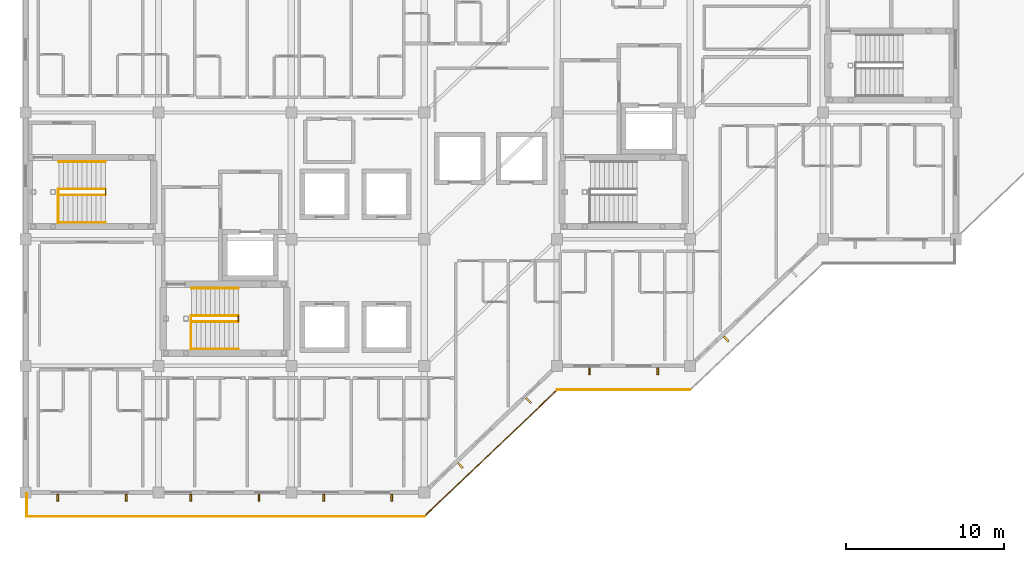
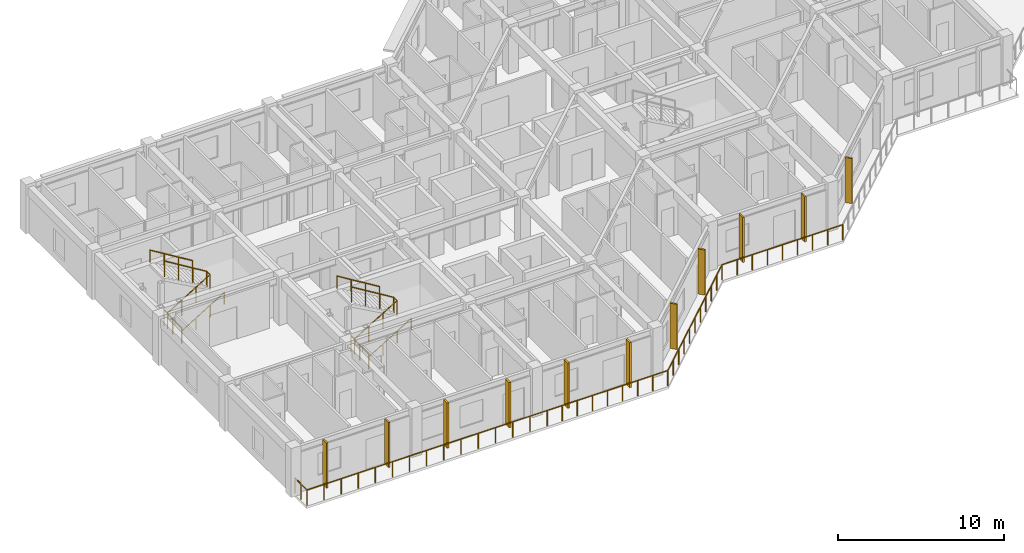
# One storey, part 14 of 16: 18 railings, 11 shading devices.
"""IFC4 building model written with IfcOpenShell, lengths in metres."""

from ifc_helpers import new_model, si_unit, direction, frame, origin, origin_2d, place, context, subcontext, project, spatial, rectangle, circle, extrude, material, layer, layer_set, type_object, element, save


model = new_model("IFC4")

# Units and contexts
model_context = context("Model", 3, precision=1e-05, world=origin(), true_north=direction((0.0, 1.0)))
body_context = subcontext(model_context, "Body", "Model", "MODEL_VIEW")
ifc_project = project(units=[si_unit("LENGTHUNIT", "METRE"), si_unit("AREAUNIT", "SQUARE_METRE"), si_unit("VOLUMEUNIT", "CUBIC_METRE"), si_unit("PLANEANGLEUNIT", "RADIAN"), si_unit("MASSUNIT", "GRAM", prefix="KILO")], contexts=[model_context])

# Site, building, storey
site_placement = place(None, origin())
site = spatial("IfcSite", under=ifc_project, at=site_placement, CompositionType="ELEMENT")
building_placement = place(site_placement, origin())
building = spatial("IfcBuilding", under=site, at=building_placement, Name="Naruveol Harbour Congress Hotel", CompositionType="ELEMENT")
storey_placement = place(building_placement, frame((0.0, 0.0, 28.800048828125)))
storey = spatial("IfcBuildingStorey", under=building, at=storey_placement, Name="L06", CompositionType="ELEMENT", Elevation=28.800048828125)

# Railings
ifc_material_1 = material(Name="Tempered Laminated Safety Glass & Stainless Steel", Category="steel")
ifc_layer_1 = layer(ifc_material_1, 0.06005859375)
ifc_layer_set_1 = layer_set([ifc_layer_1], Name="Tempered Laminated Safety Glass & Stainless Steel")
railing_type_1 = type_object("IfcRailingType", Name="LAMINATED GLASS TERRACE BALUSTRADE 1150", PredefinedType="BALUSTRADE", material=ifc_layer_set_1)
railing_1_placement = place(storey_placement, frame((117.679931640625, -0.06005859375, 0.0)))
element("IfcRailing", 1, at=railing_1_placement, inside=storey, type_object=railing_type_1, Name="L06 Harbour balcony balustrade #88", PredefinedType="BALUSTRADE", context=body_context, shape_type="SweptSolid", body=[
    extrude(circle(Radius=0.02392578125, at=origin_2d()), frame((0.0, 0.0, 1.1259765625), z_axis=(0.0, -1.0, 0.0), x_axis=(1.0, 0.0, 0.0)), (0.0, 0.0, 1.0), 1.4599609375),
    extrude(circle(Radius=0.02099609375, at=origin_2d()), origin(), (0.0, 0.0, 1.0), 1.101806640625),
    extrude(circle(Radius=0.02099609375, at=origin_2d()), frame((0.0, -0.72998046875, 0.0)), (0.0, 0.0, 1.0), 1.101806640625),
    extrude(circle(Radius=0.02099609375, at=origin_2d()), frame((0.0, -1.4599609375, 0.0)), (0.0, 0.0, 1.0), 1.101806640625),
])
railing_2_placement = place(storey_placement, frame((117.679931640625, -1.52001953125, 0.0)))
element("IfcRailing", 2, at=railing_2_placement, inside=storey, type_object=railing_type_1, Name="L06 Harbour balcony balustrade #89", PredefinedType="BALUSTRADE", context=body_context, shape_type="SweptSolid", body=[
    extrude(circle(Radius=0.02392578125, at=origin_2d()), frame((0.0, 0.0, 1.1259765625), z_axis=(1.0, 0.0, 0.0), x_axis=(0.0, 1.0, 0.0)), (0.0, 0.0, 1.0), 8.320068359375),
    extrude(circle(Radius=0.02099609375, at=origin_2d()), origin(), (0.0, 0.0, 1.0), 1.101806640625),
    extrude(circle(Radius=0.02099609375, at=origin_2d()), frame((1.1884765625, 0.0, 0.0)), (0.0, 0.0, 1.0), 1.101806640625),
    extrude(circle(Radius=0.02099609375, at=origin_2d()), frame((2.377197265625, 0.0, 0.0)), (0.0, 0.0, 1.0), 1.101806640625),
    extrude(circle(Radius=0.02099609375, at=origin_2d()), frame((3.565673828125, 0.0, 0.0)), (0.0, 0.0, 1.0), 1.101806640625),
    extrude(circle(Radius=0.02099609375, at=origin_2d()), frame((4.75439453125, 0.0, 0.0)), (0.0, 0.0, 1.0), 1.101806640625),
    extrude(circle(Radius=0.02099609375, at=origin_2d()), frame((5.94287109375, 0.0, 0.0)), (0.0, 0.0, 1.0), 1.101806640625),
    extrude(circle(Radius=0.02099609375, at=origin_2d()), frame((7.131591796875, 0.0, 0.0)), (0.0, 0.0, 1.0), 1.101806640625),
    extrude(circle(Radius=0.02099609375, at=origin_2d()), frame((8.320068359375, 0.0, 0.0)), (0.0, 0.0, 1.0), 1.101806640625),
])
railing_3_placement = place(storey_placement, frame((126.0, -1.52001953125, 0.0)))
element("IfcRailing", 3, at=railing_3_placement, inside=storey, type_object=railing_type_1, Name="L06 Harbour balcony balustrade #90", PredefinedType="BALUSTRADE", context=body_context, shape_type="SweptSolid", body=[
    extrude(circle(Radius=0.02392578125, at=origin_2d()), frame((0.0, 0.0, 1.1259765625), z_axis=(1.0, 0.0, 0.0), x_axis=(0.0, 1.0, 0.0)), (0.0, 0.0, 1.0), 8.39990234375),
    extrude(circle(Radius=0.02099609375, at=origin_2d()), origin(), (0.0, 0.0, 1.0), 1.101806640625),
    extrude(circle(Radius=0.02099609375, at=origin_2d()), frame((1.199951171875, 0.0, 0.0)), (0.0, 0.0, 1.0), 1.101806640625),
    extrude(circle(Radius=0.02099609375, at=origin_2d()), frame((2.39990234375, 0.0, 0.0)), (0.0, 0.0, 1.0), 1.101806640625),
    extrude(circle(Radius=0.02099609375, at=origin_2d()), frame((3.599853515625, 0.0, 0.0)), (0.0, 0.0, 1.0), 1.101806640625),
    extrude(circle(Radius=0.02099609375, at=origin_2d()), frame((4.800048828125, 0.0, 0.0)), (0.0, 0.0, 1.0), 1.101806640625),
    extrude(circle(Radius=0.02099609375, at=origin_2d()), frame((6.0, 0.0, 0.0)), (0.0, 0.0, 1.0), 1.101806640625),
    extrude(circle(Radius=0.02099609375, at=origin_2d()), frame((7.199951171875, 0.0, 0.0)), (0.0, 0.0, 1.0), 1.101806640625),
    extrude(circle(Radius=0.02099609375, at=origin_2d()), frame((8.39990234375, 0.0, 0.0)), (0.0, 0.0, 1.0), 1.101806640625),
])
railing_4_placement = place(storey_placement, frame((134.39990234375, -1.52001953125, 0.0)))
element("IfcRailing", 4, at=railing_4_placement, inside=storey, type_object=railing_type_1, Name="L06 Harbour balcony balustrade #91", PredefinedType="BALUSTRADE", context=body_context, shape_type="SweptSolid", body=[
    extrude(circle(Radius=0.02392578125, at=origin_2d()), frame((0.0, 0.0, 1.1259765625), z_axis=(1.0, 0.0, 0.0), x_axis=(0.0, 1.0, 0.0)), (0.0, 0.0, 1.0), 8.400146484375),
    extrude(circle(Radius=0.02099609375, at=origin_2d()), origin(), (0.0, 0.0, 1.0), 1.101806640625),
    extrude(circle(Radius=0.02099609375, at=origin_2d()), frame((1.050048828125, 0.0, 0.0)), (0.0, 0.0, 1.0), 1.101806640625),
    extrude(circle(Radius=0.02099609375, at=origin_2d()), frame((2.10009765625, 0.0, 0.0)), (0.0, 0.0, 1.0), 1.101806640625),
    extrude(circle(Radius=0.02099609375, at=origin_2d()), frame((3.150146484375, 0.0, 0.0)), (0.0, 0.0, 1.0), 1.101806640625),
    extrude(circle(Radius=0.02099609375, at=origin_2d()), frame((4.2001953125, 0.0, 0.0)), (0.0, 0.0, 1.0), 1.101806640625),
    extrude(circle(Radius=0.02099609375, at=origin_2d()), frame((5.25, 0.0, 0.0)), (0.0, 0.0, 1.0), 1.101806640625),
    extrude(circle(Radius=0.02099609375, at=origin_2d()), frame((6.300048828125, 0.0, 0.0)), (0.0, 0.0, 1.0), 1.101806640625),
    extrude(circle(Radius=0.02099609375, at=origin_2d()), frame((7.35009765625, 0.0, 0.0)), (0.0, 0.0, 1.0), 1.101806640625),
    extrude(circle(Radius=0.02099609375, at=origin_2d()), frame((8.400146484375, 0.0, 0.0)), (0.0, 0.0, 1.0), 1.101806640625),
])
railing_5_placement = place(storey_placement, frame((142.800048828125, -1.52001953125, 0.0)))
element("IfcRailing", 5, at=railing_5_placement, inside=storey, type_object=railing_type_1, Name="L06 Harbour balcony balustrade #92", PredefinedType="BALUSTRADE", context=body_context, shape_type="SweptSolid", body=[
    extrude(circle(Radius=0.02392578125, at=origin_2d()), frame((0.0, 0.0, 1.1259765625), z_axis=(0.724133926887, 0.689659376744, 0.0), x_axis=(-0.689659376744, 0.724133926887, 0.0)), (0.0, 0.0, 1.0), 11.599853515625),
    extrude(circle(Radius=0.02099609375, at=origin_2d()), origin(), (0.0, 0.0, 1.0), 1.101806640625),
    extrude(circle(Radius=0.02099609375, at=origin_2d()), frame((0.840087890625, 0.800048828125, 0.0)), (0.0, 0.0, 1.0), 1.101806640625),
    extrude(circle(Radius=0.02099609375, at=origin_2d()), frame((1.679931640625, 1.60009765625, 0.0)), (0.0, 0.0, 1.0), 1.101806640625),
    extrude(circle(Radius=0.02099609375, at=origin_2d()), frame((2.52001953125, 2.39990234375, 0.0)), (0.0, 0.0, 1.0), 1.101806640625),
    extrude(circle(Radius=0.02099609375, at=origin_2d()), frame((3.35986328125, 3.199951171875, 0.0)), (0.0, 0.0, 1.0), 1.101806640625),
    extrude(circle(Radius=0.02099609375, at=origin_2d()), frame((4.199951171875, 4.0, 0.0)), (0.0, 0.0, 1.0), 1.101806640625),
    extrude(circle(Radius=0.02099609375, at=origin_2d()), frame((5.0400390625, 4.800048828125, 0.0)), (0.0, 0.0, 1.0), 1.101806640625),
    extrude(circle(Radius=0.02099609375, at=origin_2d()), frame((5.8798828125, 5.60009765625, 0.0)), (0.0, 0.0, 1.0), 1.101806640625),
    extrude(circle(Radius=0.02099609375, at=origin_2d()), frame((6.719970703125, 6.39990234375, 0.0)), (0.0, 0.0, 1.0), 1.101806640625),
    extrude(circle(Radius=0.02099609375, at=origin_2d()), frame((7.559814453125, 7.199951171875, 0.0)), (0.0, 0.0, 1.0), 1.101806640625),
    extrude(circle(Radius=0.02099609375, at=origin_2d()), frame((8.39990234375, 8.0, 0.0)), (0.0, 0.0, 1.0), 1.101806640625),
])
railing_6_placement = place(storey_placement, frame((151.199951171875, 6.47998046875, 0.0)))
element("IfcRailing", 6, at=railing_6_placement, inside=storey, type_object=railing_type_1, Name="L06 Harbour balcony balustrade #93", PredefinedType="BALUSTRADE", context=body_context, shape_type="SweptSolid", body=[
    extrude(circle(Radius=0.02392578125, at=origin_2d()), frame((0.0, 0.0, 1.1259765625), z_axis=(1.0, 0.0, 0.0), x_axis=(0.0, 1.0, 0.0)), (0.0, 0.0, 1.0), 8.400146484375),
    extrude(circle(Radius=0.02099609375, at=origin_2d()), origin(), (0.0, 0.0, 1.0), 1.101806640625),
    extrude(circle(Radius=0.02099609375, at=origin_2d()), frame((1.050048828125, 0.0, 0.0)), (0.0, 0.0, 1.0), 1.101806640625),
    extrude(circle(Radius=0.02099609375, at=origin_2d()), frame((2.10009765625, 0.0, 0.0)), (0.0, 0.0, 1.0), 1.101806640625),
    extrude(circle(Radius=0.02099609375, at=origin_2d()), frame((3.150146484375, 0.0, 0.0)), (0.0, 0.0, 1.0), 1.101806640625),
    extrude(circle(Radius=0.02099609375, at=origin_2d()), frame((4.2001953125, 0.0, 0.0)), (0.0, 0.0, 1.0), 1.101806640625),
    extrude(circle(Radius=0.02099609375, at=origin_2d()), frame((5.25, 0.0, 0.0)), (0.0, 0.0, 1.0), 1.101806640625),
    extrude(circle(Radius=0.02099609375, at=origin_2d()), frame((6.300048828125, 0.0, 0.0)), (0.0, 0.0, 1.0), 1.101806640625),
    extrude(circle(Radius=0.02099609375, at=origin_2d()), frame((7.35009765625, 0.0, 0.0)), (0.0, 0.0, 1.0), 1.101806640625),
    extrude(circle(Radius=0.02099609375, at=origin_2d()), frame((8.400146484375, 0.0, 0.0)), (0.0, 0.0, 1.0), 1.101806640625),
])

# Shading devices
ifc_material_2 = material(Name="Precast concrete C40/50", Category="concrete")
shading_device_type = type_object("IfcShadingDeviceType", Name="PRECAST VERTICAL BRISE SOLEIL FIN 120X450", PredefinedType="JALOUSIE", material=ifc_material_2)
for number, where, z_axis, x_axis, name in (
    (7, (123.9560546875, -0.340087890625, 0.0), (0.0, 0.0, 1.0), (-1.0, 0.0, 0.0), "Precast brise-soleil fin BS-V450 #41"),
    (8, (119.64404296875, -0.340087890625, 0.0), (0.0, 0.0, 1.0), (-1.0, 0.0, 0.0), "Precast brise-soleil fin BS-V450 #42"),
    (9, (132.35595703125, -0.340087890625, 0.0), (0.0, 0.0, 1.0), (-1.0, 0.0, 0.0), "Precast brise-soleil fin BS-V450 #44"),
    (10, (128.0439453125, -0.340087890625, 0.0), (0.0, 0.0, 1.0), (-1.0, 0.0, 0.0), "Precast brise-soleil fin BS-V450 #45"),
    (11, (140.756103515625, -0.340087890625, 0.0), (0.0, 0.0, 1.0), (-1.0, 0.0, 0.0), "Precast brise-soleil fin BS-V450 #47"),
    (12, (136.444091796875, -0.340087890625, 0.0), (0.0, 0.0, 1.0), (-1.0, 0.0, 0.0), "Precast brise-soleil fin BS-V450 #48"),
    (13, (149.389892578125, 5.806884765625, 0.0), (0.0, 0.0, 1.0), (-0.724171861437, -0.689619543736, 0.0), "Precast brise-soleil fin BS-V450 #50"),
    (14, (145.077880859375, 1.700927734375, 0.0), (0.0, 0.0, 1.0), (-0.724171861437, -0.689619543736, 0.0), "Precast brise-soleil fin BS-V450 #51"),
    (15, (157.555908203125, 7.659912109375, 0.0), (0.0, 0.0, 1.0), (-1.0, 0.0, 0.0), "Precast brise-soleil fin BS-V450 #53"),
    (16, (153.243896484375, 7.659912109375, 0.0), (0.0, 0.0, 1.0), (-1.0, 0.0, 0.0), "Precast brise-soleil fin BS-V450 #54"),
    (17, (161.8779296875, 9.700927734375, 0.0), (0.0, 0.0, 1.0), (-0.724171861437, -0.689619543736, 0.0), "Precast brise-soleil fin BS-V450 #57"),
):
    element("IfcShadingDevice", number, at=place(storey_placement, frame(where, z_axis=z_axis, x_axis=x_axis)), inside=storey, type_object=shading_device_type, Name=name, PredefinedType="JALOUSIE", context=body_context, shape_type="SweptSolid", body=[
        extrude(rectangle(XDim=0.1201171875, YDim=0.449951171875, at=origin_2d()), origin(), (0.0, 0.0, 1.0), 3.320068359375),
    ])

# Railings
ifc_material_3 = material(Name="Stainless Steel 304", Category="steel")
ifc_layer_2 = layer(ifc_material_3, 0.0419921875)
ifc_layer_set_2 = layer_set([ifc_layer_2], Name="Stainless Steel 304")
railing_type_2 = type_object("IfcRailingType", Name="STAIR WALL MOUNTED HANDRAIL 900", PredefinedType="HANDRAIL", material=ifc_layer_set_2)
railing_7_placement = place(storey_placement, frame((128.10009765625, 9.06005859375, 0.0)))
element("IfcRailing", 18, at=railing_7_placement, inside=storey, type_object=railing_type_2, Name="Stair ST1 L06 lower wall handrail", PredefinedType="HANDRAIL", context=body_context, shape_type="SweptSolid", body=[
    extrude(circle(Radius=0.02392578125, at=origin_2d()), frame((0.0, 0.0, 0.8759765625), z_axis=(0.85362916449, 0.0, 0.520881224016), x_axis=(0.0, 1.0, 0.0)), (0.0, 0.0, 1.0), 3.455810546875),
    extrude(circle(Radius=0.02099609375, at=origin_2d()), origin(), (0.0, 0.0, 1.0), 0.851806640625),
    extrude(circle(Radius=0.02099609375, at=origin_2d()), frame((0.9833984375, 0.0, 0.60009765625)), (0.0, 0.0, 1.0), 0.851806640625),
    extrude(circle(Radius=0.02099609375, at=origin_2d()), frame((1.966552734375, 0.0, 1.199951171875)), (0.0, 0.0, 1.0), 0.851806640625),
    extrude(circle(Radius=0.02099609375, at=origin_2d()), frame((2.949951171875, 0.0, 1.800048828125)), (0.0, 0.0, 1.0), 0.851806640625),
])
railing_8_placement = place(storey_placement, frame((131.050048828125, 12.89990234375, 1.800048828125)))
element("IfcRailing", 19, at=railing_8_placement, inside=storey, type_object=railing_type_2, Name="Stair ST1 L06 upper wall handrail", PredefinedType="HANDRAIL", context=body_context, shape_type="SweptSolid", body=[
    extrude(circle(Radius=0.02392578125, at=origin_2d()), frame((0.0, 0.0, 0.8759765625), z_axis=(-0.853660576587, 0.0, 0.520829741836), x_axis=(0.0, -1.0, 0.0)), (0.0, 0.0, 1.0), 3.45556640625),
    extrude(circle(Radius=0.02099609375, at=origin_2d()), origin(), (0.0, 0.0, 1.0), 0.851806640625),
    extrude(circle(Radius=0.02099609375, at=origin_2d()), frame((-0.9833984375, 0.0, 0.599853515625)), (0.0, 0.0, 1.0), 0.851806640625),
    extrude(circle(Radius=0.02099609375, at=origin_2d()), frame((-1.966552734375, 0.0, 1.199951171875)), (0.0, 0.0, 1.0), 0.851806640625),
    extrude(circle(Radius=0.02099609375, at=origin_2d()), frame((-2.949951171875, 0.0, 1.7998046875)), (0.0, 0.0, 1.0), 0.851806640625),
])
railing_9_placement = place(storey_placement, frame((119.699951171875, 17.06005859375, 0.0)))
element("IfcRailing", 20, at=railing_9_placement, inside=storey, type_object=railing_type_2, Name="Stair ST3 L06 lower wall handrail", PredefinedType="HANDRAIL", context=body_context, shape_type="SweptSolid", body=[
    extrude(circle(Radius=0.02392578125, at=origin_2d()), frame((0.0, 0.0, 0.8759765625), z_axis=(0.85362916449, 0.0, 0.520881224016), x_axis=(0.0, 1.0, 0.0)), (0.0, 0.0, 1.0), 3.455810546875),
    extrude(circle(Radius=0.02099609375, at=origin_2d()), origin(), (0.0, 0.0, 1.0), 0.851806640625),
    extrude(circle(Radius=0.02099609375, at=origin_2d()), frame((0.9833984375, 0.0, 0.60009765625)), (0.0, 0.0, 1.0), 0.851806640625),
    extrude(circle(Radius=0.02099609375, at=origin_2d()), frame((1.966552734375, 0.0, 1.199951171875)), (0.0, 0.0, 1.0), 0.851806640625),
    extrude(circle(Radius=0.02099609375, at=origin_2d()), frame((2.949951171875, 0.0, 1.800048828125)), (0.0, 0.0, 1.0), 0.851806640625),
])
railing_10_placement = place(storey_placement, frame((122.64990234375, 20.89990234375, 1.800048828125)))
element("IfcRailing", 21, at=railing_10_placement, inside=storey, type_object=railing_type_2, Name="Stair ST3 L06 upper wall handrail", PredefinedType="HANDRAIL", context=body_context, shape_type="SweptSolid", body=[
    extrude(circle(Radius=0.02392578125, at=origin_2d()), frame((0.0, 0.0, 0.8759765625), z_axis=(-0.853660576587, 0.0, 0.520829741836), x_axis=(0.0, -1.0, 0.0)), (0.0, 0.0, 1.0), 3.45556640625),
    extrude(circle(Radius=0.02099609375, at=origin_2d()), origin(), (0.0, 0.0, 1.0), 0.851806640625),
    extrude(circle(Radius=0.02099609375, at=origin_2d()), frame((-0.9833984375, 0.0, 0.599853515625)), (0.0, 0.0, 1.0), 0.851806640625),
    extrude(circle(Radius=0.02099609375, at=origin_2d()), frame((-1.966552734375, 0.0, 1.199951171875)), (0.0, 0.0, 1.0), 0.851806640625),
    extrude(circle(Radius=0.02099609375, at=origin_2d()), frame((-2.949951171875, 0.0, 1.7998046875)), (0.0, 0.0, 1.0), 0.851806640625),
])
ifc_material_4 = material(Name="Steel SN490", Category="steel")
ifc_layer_3 = layer(ifc_material_4, 0.044921875)
ifc_layer_set_3 = layer_set([ifc_layer_3], Name="Steel SN490")
railing_type_3 = type_object("IfcRailingType", Name="STAIRWELL STEEL GUARDRAIL 1150", PredefinedType="GUARDRAIL", material=ifc_layer_set_3)
railing_11_placement = place(storey_placement, frame((128.10009765625, 10.7900390625, 0.0)))
element("IfcRailing", 22, at=railing_11_placement, inside=storey, type_object=railing_type_3, Name="Stair ST1 L06 lower well guard", PredefinedType="GUARDRAIL", context=body_context, shape_type="SweptSolid", body=[
    extrude(circle(Radius=0.02392578125, at=origin_2d()), frame((0.0, 0.0, 1.1259765625), z_axis=(0.85362916449, 0.0, 0.520881224016), x_axis=(0.0, 1.0, 0.0)), (0.0, 0.0, 1.0), 3.455810546875),
    extrude(circle(Radius=0.02099609375, at=origin_2d()), origin(), (0.0, 0.0, 1.0), 1.101806640625),
    extrude(circle(Radius=0.02099609375, at=origin_2d()), frame((0.9833984375, 0.0, 0.60009765625)), (0.0, 0.0, 1.0), 1.101806640625),
    extrude(circle(Radius=0.02099609375, at=origin_2d()), frame((1.966552734375, 0.0, 1.199951171875)), (0.0, 0.0, 1.0), 1.101806640625),
    extrude(circle(Radius=0.02099609375, at=origin_2d()), frame((2.949951171875, 0.0, 1.800048828125)), (0.0, 0.0, 1.0), 1.101806640625),
])
railing_12_placement = place(storey_placement, frame((131.050048828125, 10.7900390625, 1.800048828125)))
element("IfcRailing", 23, at=railing_12_placement, inside=storey, type_object=railing_type_3, Name="Stair ST1 L06 half-landing slot guard", PredefinedType="GUARDRAIL", context=body_context, shape_type="SweptSolid", body=[
    extrude(circle(Radius=0.02392578125, at=origin_2d()), frame((0.0, 0.0, 1.1259765625), z_axis=(0.0, 1.0, 0.0), x_axis=(-1.0, 0.0, 0.0)), (0.0, 0.0, 1.0), 0.3798828125),
    extrude(circle(Radius=0.02099609375, at=origin_2d()), origin(), (0.0, 0.0, 1.0), 1.101806640625),
    extrude(circle(Radius=0.02099609375, at=origin_2d()), frame((0.0, 0.3798828125, 0.0)), (0.0, 0.0, 1.0), 1.101806640625),
])
railing_13_placement = place(storey_placement, frame((131.050048828125, 11.169921875, 1.800048828125)))
element("IfcRailing", 24, at=railing_13_placement, inside=storey, type_object=railing_type_3, Name="Stair ST1 L06 upper well guard", PredefinedType="GUARDRAIL", context=body_context, shape_type="SweptSolid", body=[
    extrude(circle(Radius=0.02392578125, at=origin_2d()), frame((0.0, 0.0, 1.1259765625), z_axis=(-0.853660576587, 0.0, 0.520829741836), x_axis=(0.0, -1.0, 0.0)), (0.0, 0.0, 1.0), 3.45556640625),
    extrude(circle(Radius=0.02099609375, at=origin_2d()), origin(), (0.0, 0.0, 1.0), 1.101806640625),
    extrude(circle(Radius=0.02099609375, at=origin_2d()), frame((-0.9833984375, 0.0, 0.599853515625)), (0.0, 0.0, 1.0), 1.101806640625),
    extrude(circle(Radius=0.02099609375, at=origin_2d()), frame((-1.966552734375, 0.0, 1.199951171875)), (0.0, 0.0, 1.0), 1.101806640625),
    extrude(circle(Radius=0.02099609375, at=origin_2d()), frame((-2.949951171875, 0.0, 1.7998046875)), (0.0, 0.0, 1.0), 1.101806640625),
])
railing_14_placement = place(storey_placement, frame((128.06005859375, 9.02001953125, 0.0)))
element("IfcRailing", 25, at=railing_14_placement, inside=storey, type_object=railing_type_3, Name="Stair ST1 L06 landing well guard", PredefinedType="GUARDRAIL", context=body_context, shape_type="SweptSolid", body=[
    extrude(circle(Radius=0.02392578125, at=origin_2d()), frame((0.0, 0.0, 1.1259765625), z_axis=(0.0, 1.0, 0.0), x_axis=(-1.0, 0.0, 0.0)), (0.0, 0.0, 1.0), 2.14990234375),
    extrude(circle(Radius=0.02099609375, at=origin_2d()), origin(), (0.0, 0.0, 1.0), 1.101806640625),
    extrude(circle(Radius=0.02099609375, at=origin_2d()), frame((0.0, 1.074951171875, 0.0)), (0.0, 0.0, 1.0), 1.101806640625),
    extrude(circle(Radius=0.02099609375, at=origin_2d()), frame((0.0, 2.14990234375, 0.0)), (0.0, 0.0, 1.0), 1.101806640625),
])
railing_15_placement = place(storey_placement, frame((119.699951171875, 18.7900390625, 0.0)))
element("IfcRailing", 26, at=railing_15_placement, inside=storey, type_object=railing_type_3, Name="Stair ST3 L06 lower well guard", PredefinedType="GUARDRAIL", context=body_context, shape_type="SweptSolid", body=[
    extrude(circle(Radius=0.02392578125, at=origin_2d()), frame((0.0, 0.0, 1.1259765625), z_axis=(0.85362916449, 0.0, 0.520881224016), x_axis=(0.0, 1.0, 0.0)), (0.0, 0.0, 1.0), 3.455810546875),
    extrude(circle(Radius=0.02099609375, at=origin_2d()), origin(), (0.0, 0.0, 1.0), 1.101806640625),
    extrude(circle(Radius=0.02099609375, at=origin_2d()), frame((0.9833984375, 0.0, 0.60009765625)), (0.0, 0.0, 1.0), 1.101806640625),
    extrude(circle(Radius=0.02099609375, at=origin_2d()), frame((1.966552734375, 0.0, 1.199951171875)), (0.0, 0.0, 1.0), 1.101806640625),
    extrude(circle(Radius=0.02099609375, at=origin_2d()), frame((2.949951171875, 0.0, 1.800048828125)), (0.0, 0.0, 1.0), 1.101806640625),
])
railing_16_placement = place(storey_placement, frame((122.64990234375, 18.7900390625, 1.800048828125)))
element("IfcRailing", 27, at=railing_16_placement, inside=storey, type_object=railing_type_3, Name="Stair ST3 L06 half-landing slot guard", PredefinedType="GUARDRAIL", context=body_context, shape_type="SweptSolid", body=[
    extrude(circle(Radius=0.02392578125, at=origin_2d()), frame((0.0, 0.0, 1.1259765625), z_axis=(0.0, 1.0, 0.0), x_axis=(-1.0, 0.0, 0.0)), (0.0, 0.0, 1.0), 0.3798828125),
    extrude(circle(Radius=0.02099609375, at=origin_2d()), origin(), (0.0, 0.0, 1.0), 1.101806640625),
    extrude(circle(Radius=0.02099609375, at=origin_2d()), frame((0.0, 0.3798828125, 0.0)), (0.0, 0.0, 1.0), 1.101806640625),
])
railing_17_placement = place(storey_placement, frame((122.64990234375, 19.169921875, 1.800048828125)))
element("IfcRailing", 28, at=railing_17_placement, inside=storey, type_object=railing_type_3, Name="Stair ST3 L06 upper well guard", PredefinedType="GUARDRAIL", context=body_context, shape_type="SweptSolid", body=[
    extrude(circle(Radius=0.02392578125, at=origin_2d()), frame((0.0, 0.0, 1.1259765625), z_axis=(-0.853660576587, 0.0, 0.520829741836), x_axis=(0.0, -1.0, 0.0)), (0.0, 0.0, 1.0), 3.45556640625),
    extrude(circle(Radius=0.02099609375, at=origin_2d()), origin(), (0.0, 0.0, 1.0), 1.101806640625),
    extrude(circle(Radius=0.02099609375, at=origin_2d()), frame((-0.9833984375, 0.0, 0.599853515625)), (0.0, 0.0, 1.0), 1.101806640625),
    extrude(circle(Radius=0.02099609375, at=origin_2d()), frame((-1.966552734375, 0.0, 1.199951171875)), (0.0, 0.0, 1.0), 1.101806640625),
    extrude(circle(Radius=0.02099609375, at=origin_2d()), frame((-2.949951171875, 0.0, 1.7998046875)), (0.0, 0.0, 1.0), 1.101806640625),
])
railing_18_placement = place(storey_placement, frame((119.659912109375, 17.02001953125, 0.0)))
element("IfcRailing", 29, at=railing_18_placement, inside=storey, type_object=railing_type_3, Name="Stair ST3 L06 landing well guard", PredefinedType="GUARDRAIL", context=body_context, shape_type="SweptSolid", body=[
    extrude(circle(Radius=0.02392578125, at=origin_2d()), frame((0.0, 0.0, 1.1259765625), z_axis=(0.0, 1.0, 0.0), x_axis=(-1.0, 0.0, 0.0)), (0.0, 0.0, 1.0), 2.14990234375),
    extrude(circle(Radius=0.02099609375, at=origin_2d()), origin(), (0.0, 0.0, 1.0), 1.101806640625),
    extrude(circle(Radius=0.02099609375, at=origin_2d()), frame((0.0, 1.074951171875, 0.0)), (0.0, 0.0, 1.0), 1.101806640625),
    extrude(circle(Radius=0.02099609375, at=origin_2d()), frame((0.0, 2.14990234375, 0.0)), (0.0, 0.0, 1.0), 1.101806640625),
])

save(model, "model.ifc")
